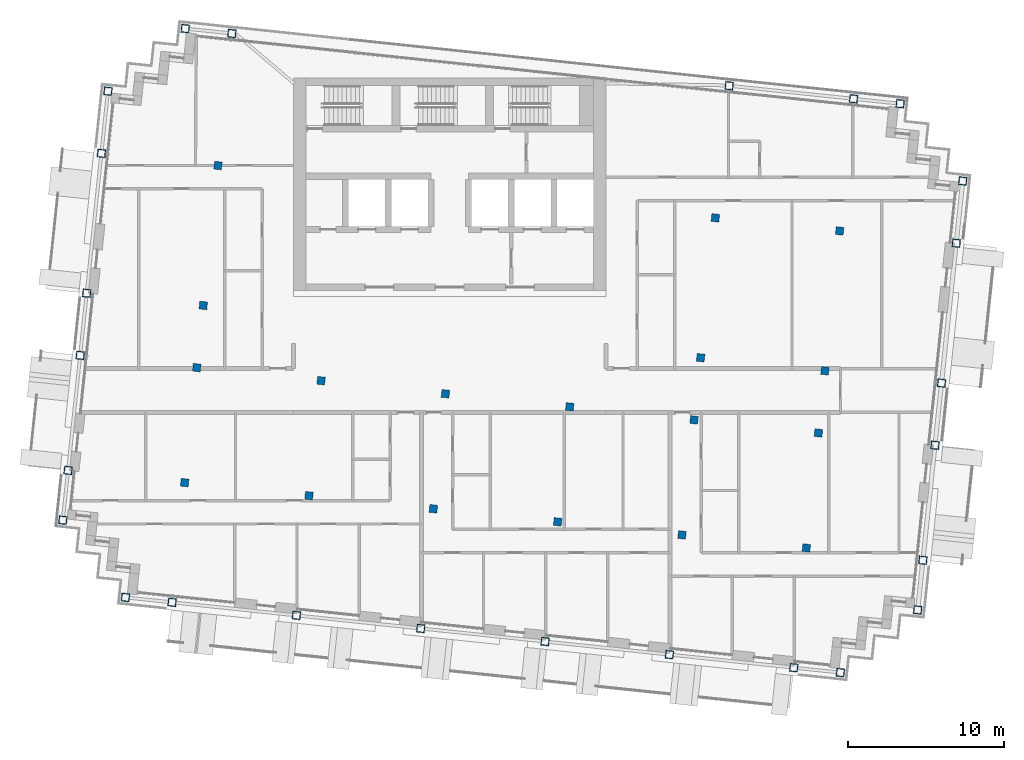
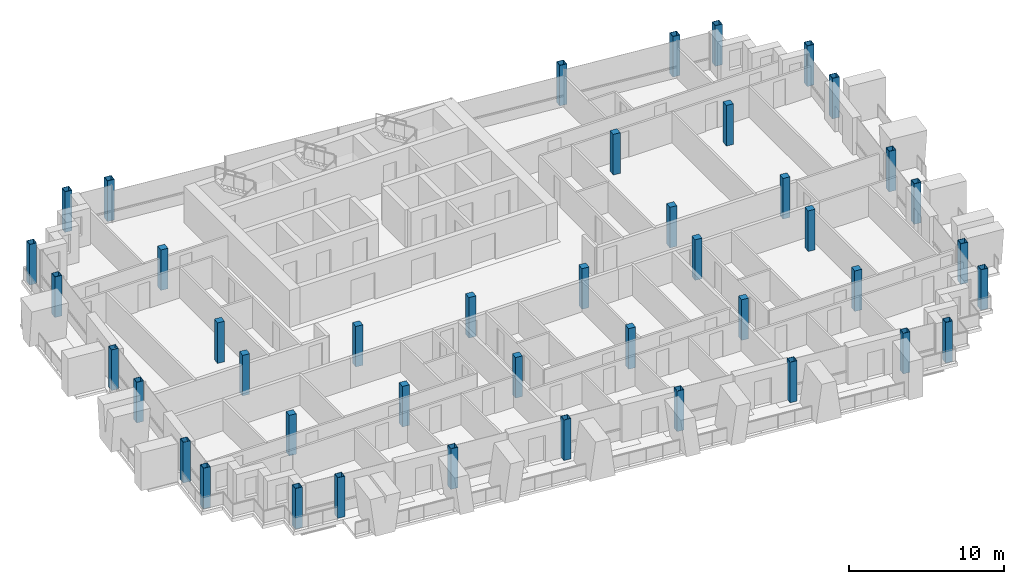
# One storey, part 1 of 17: 43 columns.
"""IFC4 building model written with IfcOpenShell, lengths in metres."""

from ifc_helpers import new_model, si_unit, direction, frame, origin, origin_2d, place, context, subcontext, project, spatial, rectangle, hollow_rectangle, extrude, material, material_profile, profile_set, type_object, element, save


model = new_model("IFC4")

# Units and contexts
model_context = context("Model", 3, precision=1e-05, world=origin(), true_north=direction((0.0, 1.0)))
body_context = subcontext(model_context, "Body", "Model", "MODEL_VIEW")
ifc_project = project(units=[si_unit("LENGTHUNIT", "METRE"), si_unit("AREAUNIT", "SQUARE_METRE"), si_unit("VOLUMEUNIT", "CUBIC_METRE"), si_unit("PLANEANGLEUNIT", "RADIAN"), si_unit("MASSUNIT", "GRAM", prefix="KILO")], contexts=[model_context])

# Site, building, storey
site_placement = place(None, origin())
site = spatial("IfcSite", under=ifc_project, at=site_placement, CompositionType="ELEMENT")
building_placement = place(site_placement, origin())
building = spatial("IfcBuilding", under=site, at=building_placement, Name="Vidyagriha Tower", CompositionType="ELEMENT")
storey_placement = place(building_placement, frame((0.0, 0.0, 265.89990234375)))
storey = spatial("IfcBuildingStorey", under=building, at=storey_placement, Name="L69", CompositionType="ELEMENT", Elevation=265.89990234375)

# Columns
ifc_material_1 = material(Name="Steel ASTM A572 Grade 50", Category="steel")
ifc_material_profile_1 = material_profile(ifc_material_1, hollow_rectangle(XDim=0.5, YDim=0.5, WallThickness=0.02490234375, at=origin_2d()), Name="BOX 500x500x25")
ifc_profile_set_1 = profile_set([ifc_material_profile_1], Name="Steel ASTM A572 Grade 50")
column_type_1 = type_object("IfcColumnType", Name="Exoskeleton column BOX 500x500x25", PredefinedType="COLUMN", material=ifc_profile_set_1)
for number, where, z_axis, x_axis, name in (
    (1, (-20.751953125, -13.24267578125, 0.0), (0.0, 0.0, 1.0), (0.994521895368, -0.104528463268, 0.0), "st-col-L69-B6-001"),
    (2, (-17.768310546875, -13.55615234375, 0.0), (0.0, 0.0, 1.0), (0.994521895368, -0.104528463268, 0.0), "st-col-L69-B6-002"),
    (3, (-9.812255859375, -14.392333984375, 0.0), (0.0, 0.0, 1.0), (0.994521895368, -0.104528463268, 0.0), "st-col-L69-B6-003"),
    (4, (-1.856201171875, -15.228515625, 0.0), (0.0, 0.0, 1.0), (0.994521895368, -0.104528463268, 0.0), "st-col-L69-B6-004"),
    (5, (6.10009765625, -16.06494140625, 0.0), (0.0, 0.0, 1.0), (0.994521895368, -0.104528463268, 0.0), "st-col-L69-B6-005"),
    (6, (14.056396484375, -16.901123046875, 0.0), (0.0, 0.0, 1.0), (0.994521895368, -0.104528463268, 0.0), "st-col-L69-B6-006"),
    (7, (22.012451171875, -17.7373046875, 0.0), (0.0, 0.0, 1.0), (0.994521895368, -0.104528463268, 0.0), "st-col-L69-B6-007"),
    (8, (24.99609375, -18.05078125, 0.0), (0.0, 0.0, 1.0), (0.994521895368, -0.104528463268, 0.0), "st-col-L69-B6-008"),
    (9, (-24.757080078125, -8.296875, 0.0), (0.0, 0.0, 1.0), (0.994521895368, -0.104528463268, 0.0), "st-col-L69-B6-009"),
    (10, (29.941650390625, -14.0458984375, 0.0), (0.0, 0.0, 1.0), (0.994521895368, -0.104528463268, 0.0), "st-col-L69-B6-010"),
    (11, (-24.422607421875, -5.114501953125, 0.0), (0.0, 0.0, 1.0), (0.994521895368, -0.104528463268, 0.0), "st-col-L69-B6-011"),
    (12, (30.276123046875, -10.863525390625, 0.0), (0.0, 0.0, 1.0), (0.994521895368, -0.104528463268, 0.0), "st-col-L69-B6-018"),
    (13, (-23.64892578125, 2.2451171875, 0.0), (0.0, 0.0, 1.0), (0.994521895368, -0.104528463268, 0.0), "st-col-L69-B6-019"),
    (14, (31.0498046875, -3.50390625, 0.0), (0.0, 0.0, 1.0), (0.994521895368, -0.104528463268, 0.0), "st-col-L69-B6-026"),
    (15, (-23.23095703125, 6.22314453125, 0.0), (0.0, 0.0, 1.0), (0.994521895368, -0.104528463268, 0.0), "st-col-L69-B6-027"),
    (16, (31.4677734375, 0.47412109375, 0.0), (0.0, 0.0, 1.0), (0.994521895368, -0.104528463268, 0.0), "st-col-L69-B6-031"),
    (17, (-22.2900390625, 15.173828125, 0.0), (0.0, 0.0, 1.0), (0.994521895368, -0.104528463268, 0.0), "st-col-L69-B6-032"),
    (18, (32.40869140625, 9.4248046875, 0.0), (0.0, 0.0, 1.0), (0.994521895368, -0.104528463268, 0.0), "st-col-L69-B6-036"),
    (19, (-21.8720703125, 19.15185546875, 0.0), (0.0, 0.0, 1.0), (0.994521895368, -0.104528463268, 0.0), "st-col-L69-B6-037"),
    (20, (32.82666015625, 13.40283203125, 0.0), (0.0, 0.0, 1.0), (0.994521895368, -0.104528463268, 0.0), "st-col-L69-B6-038"),
    (21, (-16.92626953125, 23.156982421875, 0.0), (0.0, 0.0, 1.0), (0.994521895368, -0.104528463268, 0.0), "st-col-L69-B6-039"),
    (22, (-13.942626953125, 22.84326171875, 0.0), (0.0, 0.0, 1.0), (0.994521895368, -0.104528463268, 0.0), "st-col-L69-B6-040"),
    (23, (17.882080078125, 19.498291015625, 0.0), (0.0, 0.0, 1.0), (0.994521895368, -0.104528463268, 0.0), "st-col-L69-B6-041"),
    (24, (25.838134765625, 18.662109375, 0.0), (0.0, 0.0, 1.0), (0.994521895368, -0.104528463268, 0.0), "st-col-L69-B6-042"),
    (25, (28.82177734375, 18.3486328125, 0.0), (0.0, 0.0, 1.0), (0.994521895368, -0.104528463268, 0.0), "st-col-L69-B6-043"),
):
    element("IfcColumn", number, at=place(storey_placement, frame(where, z_axis=z_axis, x_axis=x_axis)), inside=storey, type_object=column_type_1, Name=name, PredefinedType="COLUMN", context=body_context, shape_type="SweptSolid", body=[
        extrude(hollow_rectangle(XDim=0.5, YDim=0.5, WallThickness=0.02490234375, at=origin_2d()), origin(), (0.0, 0.0, 1.0), 3.2001953125),
    ])
ifc_material_2 = material(Name="Concrete C60/75", Category="concrete")
ifc_material_profile_2 = material_profile(ifc_material_2, rectangle(XDim=0.5, YDim=0.5, at=origin_2d()), Name="RC 500x500")
ifc_profile_set_2 = profile_set([ifc_material_profile_2], Name="Concrete C60/75")
column_type_2 = type_object("IfcColumnType", Name="Frame column RC 500x500", PredefinedType="COLUMN", material=ifc_profile_set_2)
for number, where, z_axis, x_axis, name in (
    (26, (-16.963623046875, -5.8984375, 0.0), (0.0, 0.0, 1.0), (0.994521895368, -0.104528463268, 0.0), "st-col-L69-B6-012"),
    (27, (-9.00732421875, -6.734619140625, 0.0), (0.0, 0.0, 1.0), (0.994521895368, -0.104528463268, 0.0), "st-col-L69-B6-013"),
    (28, (-1.05126953125, -7.57080078125, 0.0), (0.0, 0.0, 1.0), (0.994521895368, -0.104528463268, 0.0), "st-col-L69-B6-014"),
    (29, (6.905029296875, -8.406982421875, 0.0), (0.0, 0.0, 1.0), (0.994521895368, -0.104528463268, 0.0), "st-col-L69-B6-015"),
    (30, (14.861083984375, -9.243408203125, 0.0), (0.0, 0.0, 1.0), (0.994521895368, -0.104528463268, 0.0), "st-col-L69-B6-016"),
    (31, (22.8173828125, -10.07958984375, 0.0), (0.0, 0.0, 1.0), (0.994521895368, -0.104528463268, 0.0), "st-col-L69-B6-017"),
    (32, (-16.190185546875, 1.461181640625, 0.0), (0.0, 0.0, 1.0), (0.994521895368, -0.104528463268, 0.0), "st-col-L69-B6-020"),
    (33, (-8.23388671875, 0.625, 0.0), (0.0, 0.0, 1.0), (0.994521895368, -0.104528463268, 0.0), "st-col-L69-B6-021"),
    (34, (-0.277587890625, -0.21142578125, 0.0), (0.0, 0.0, 1.0), (0.994521895368, -0.104528463268, 0.0), "st-col-L69-B6-022"),
    (35, (7.678466796875, -1.047607421875, 0.0), (0.0, 0.0, 1.0), (0.994521895368, -0.104528463268, 0.0), "st-col-L69-B6-023"),
    (36, (15.634521484375, -1.8837890625, 0.0), (0.0, 0.0, 1.0), (0.994521895368, -0.104528463268, 0.0), "st-col-L69-B6-024"),
    (37, (23.5908203125, -2.72021484375, 0.0), (0.0, 0.0, 1.0), (0.994521895368, -0.104528463268, 0.0), "st-col-L69-B6-025"),
    (38, (-15.77197265625, 5.439208984375, 0.0), (0.0, 0.0, 1.0), (0.994521895368, -0.104528463268, 0.0), "st-col-L69-B6-028"),
    (39, (16.052734375, 2.09423828125, 0.0), (0.0, 0.0, 1.0), (0.994521895368, -0.104528463268, 0.0), "st-col-L69-B6-029"),
    (40, (24.0087890625, 1.258056640625, 0.0), (0.0, 0.0, 1.0), (0.994521895368, -0.104528463268, 0.0), "st-col-L69-B6-030"),
    (41, (-14.831298828125, 14.389892578125, 0.0), (0.0, 0.0, 1.0), (0.994521895368, -0.104528463268, 0.0), "st-col-L69-B6-033"),
    (42, (16.993408203125, 11.044921875, 0.0), (0.0, 0.0, 1.0), (0.994521895368, -0.104528463268, 0.0), "st-col-L69-B6-034"),
    (43, (24.94970703125, 10.208740234375, 0.0), (0.0, 0.0, 1.0), (0.994521895368, -0.104528463268, 0.0), "st-col-L69-B6-035"),
):
    element("IfcColumn", number, at=place(storey_placement, frame(where, z_axis=z_axis, x_axis=x_axis)), inside=storey, type_object=column_type_2, Name=name, PredefinedType="COLUMN", context=body_context, shape_type="SweptSolid", body=[
        extrude(rectangle(XDim=0.5, YDim=0.5, at=origin_2d()), origin(), (0.0, 0.0, 1.0), 3.2001953125),
    ])

save(model, "model.ifc")
